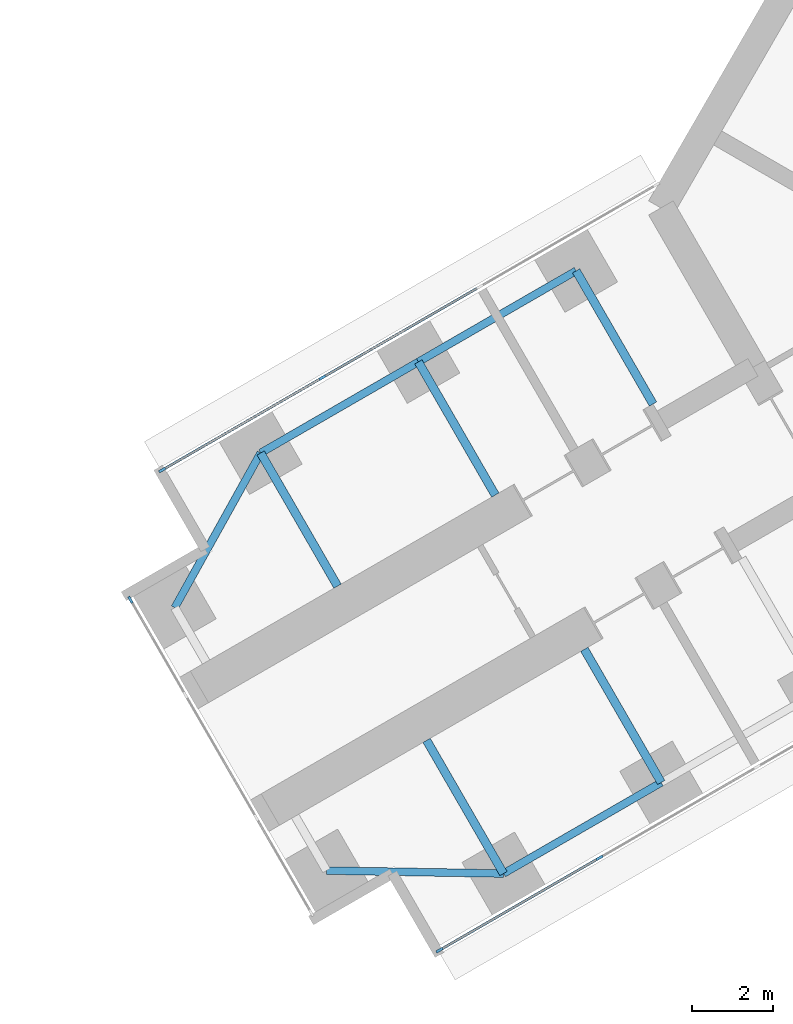
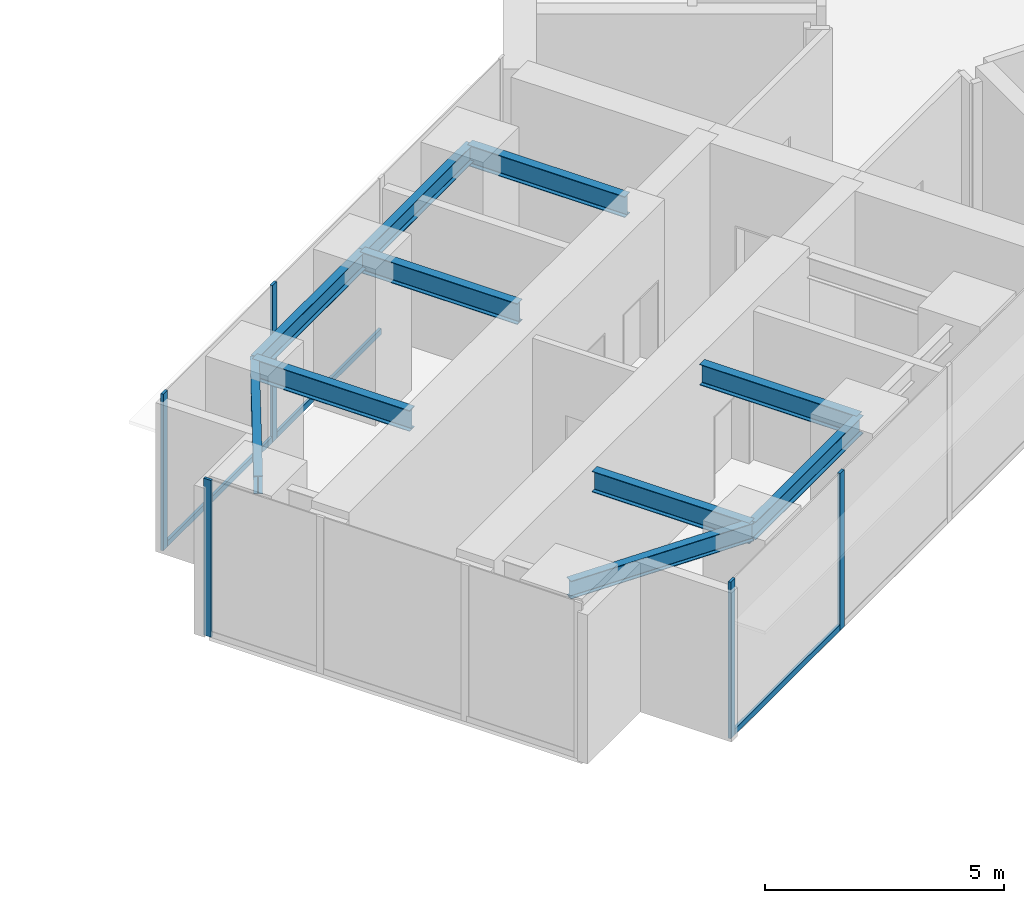
# One storey, part 4 of 23: 10 beams, 8 members, 3 elements without a shape of their own.
"""IFC4 building model written with IfcOpenShell, lengths in metres."""

from ifc_helpers import new_model, si_unit, direction, frame, origin, origin_2d, place, context, subcontext, project, spatial, rectangle, i_section, extrude, material, material_profile, profile_set, type_object, element, aggregate, save


model = new_model("IFC4")

# Units and contexts
model_context = context("Model", 3, precision=1e-05, world=origin(), true_north=direction((0.0, 1.0)))
body_context = subcontext(model_context, "Body", "Model", "MODEL_VIEW")
ifc_project = project(units=[si_unit("LENGTHUNIT", "METRE"), si_unit("AREAUNIT", "SQUARE_METRE"), si_unit("VOLUMEUNIT", "CUBIC_METRE"), si_unit("PLANEANGLEUNIT", "RADIAN"), si_unit("MASSUNIT", "GRAM", prefix="KILO")], contexts=[model_context])

# Site, building, storey
site_placement = place(None, origin())
site = spatial("IfcSite", under=ifc_project, at=site_placement, CompositionType="ELEMENT")
building_placement = place(site_placement, origin())
building = spatial("IfcBuilding", under=site, at=building_placement, Name="Upepo Twin Towers", CompositionType="ELEMENT")
storey_placement = place(building_placement, frame((0.0, 0.0, 28.5)))
storey = spatial("IfcBuildingStorey", under=building, at=storey_placement, Name="L06", CompositionType="ELEMENT", Elevation=28.5)

# Beams
ifc_material_1 = material(Name="Steel S355", Category="steel")
ifc_material_profile_1 = material_profile(ifc_material_1, i_section(OverallWidth=0.1904296875, OverallDepth=0.45703125, WebThickness=0.009033203125, FlangeThickness=0.014404296875, FilletRadius=0.01025390625, at=origin_2d()), Name="UB 457x191x74")
ifc_profile_set_1 = profile_set([ifc_material_profile_1], Name="Steel S355")
beam_type_1 = type_object("IfcBeamType", Name="Beam UB 457x191x74", PredefinedType="BEAM", material=ifc_profile_set_1)
beam_1_placement = place(storey_placement, frame((45.91162109375, -32.196044921875, 3.571533203125), z_axis=(-0.866031096941, -0.499990139034, 0.0), x_axis=(0.499990139034, -0.866031096941, 0.0)))
element("IfcBeam", 1, at=beam_1_placement, inside=storey, type_object=beam_type_1, Name="T2 edge beam BL 18.0-22.5", PredefinedType="BEAM", context=body_context, shape_type="SweptSolid", body=[
    extrude(i_section(OverallWidth=0.1904296875, OverallDepth=0.45703125, WebThickness=0.009033203125, FlangeThickness=0.014404296875, FilletRadius=0.01025390625, at=origin_2d()), origin(), (0.0, 0.0, 1.0), 4.5),
])
beam_2_placement = place(storey_placement, frame((42.014404296875, -34.446044921875, 3.571533203125), z_axis=(-0.999858804832, 0.016803880528, 0.0), x_axis=(-0.016803880528, -0.999858804832, 0.0)))
element("IfcBeam", 2, at=beam_2_placement, inside=storey, type_object=beam_type_1, Name="T2 nose edge beam BL", PredefinedType="BEAM", context=body_context, shape_type="SweptSolid", body=[
    extrude(i_section(OverallWidth=0.1904296875, OverallDepth=0.45703125, WebThickness=0.009033203125, FlangeThickness=0.014404296875, FilletRadius=0.01025390625, at=origin_2d()), origin(), (0.0, 0.0, 1.0), 4.373291015625),
])
beam_3_placement = place(storey_placement, frame((43.80859375, -19.553955078125, 3.571533203125), z_axis=(-0.866017533419, -0.500013631625, 0.0), x_axis=(0.500013631625, -0.866017533419, 0.0)))
element("IfcBeam", 3, at=beam_3_placement, inside=storey, type_object=beam_type_1, Name="T2 edge beam BR 13.5-18.0", PredefinedType="BEAM", context=body_context, shape_type="SweptSolid", body=[
    extrude(i_section(OverallWidth=0.1904296875, OverallDepth=0.45703125, WebThickness=0.009033203125, FlangeThickness=0.014404296875, FilletRadius=0.01025390625, at=origin_2d()), origin(), (0.0, 0.0, 1.0), 4.499755859375),
])
beam_4_placement = place(storey_placement, frame((39.91162109375, -21.803955078125, 3.571533203125), z_axis=(-0.866031096941, -0.499990139034, 0.0), x_axis=(0.499990139034, -0.866031096941, 0.0)))
element("IfcBeam", 4, at=beam_4_placement, inside=storey, type_object=beam_type_1, Name="T2 edge beam BR 18.0-22.5", PredefinedType="BEAM", context=body_context, shape_type="SweptSolid", body=[
    extrude(i_section(OverallWidth=0.1904296875, OverallDepth=0.45703125, WebThickness=0.009033203125, FlangeThickness=0.014404296875, FilletRadius=0.01025390625, at=origin_2d()), origin(), (0.0, 0.0, 1.0), 4.5),
])
beam_5_placement = place(storey_placement, frame((36.014404296875, -24.053955078125, 3.571533203125), z_axis=(-0.485363242752, -0.874312600038, 0.0), x_axis=(0.874312600038, -0.485363242752, 0.0)))
element("IfcBeam", 5, at=beam_5_placement, inside=storey, type_object=beam_type_1, Name="T2 nose edge beam BR", PredefinedType="BEAM", context=body_context, shape_type="SweptSolid", body=[
    extrude(i_section(OverallWidth=0.1904296875, OverallDepth=0.45703125, WebThickness=0.009033203125, FlangeThickness=0.014404296875, FilletRadius=0.01025390625, at=origin_2d()), origin(), (0.0, 0.0, 1.0), 4.373046875),
])
ifc_material_2 = material(Name="Steel S355", Category="steel")
ifc_material_profile_2 = material_profile(ifc_material_2, i_section(OverallWidth=0.209228515625, OverallDepth=0.533203125, WebThickness=0.010009765625, FlangeThickness=0.015625, FilletRadius=0.0126953125, at=origin_2d()), Name="UB 533x210x92")
ifc_profile_set_2 = profile_set([ifc_material_profile_2], Name="Steel S355")
beam_type_2 = type_object("IfcBeamType", Name="Beam UB 533x210x92", PredefinedType="BEAM", material=ifc_profile_set_2)
beam_6_placement = place(storey_placement, frame((45.91162109375, -32.196044921875, 3.533447265625), z_axis=(-0.500043160704, 0.866000483506, 0.0), x_axis=(-0.866000483506, -0.500043160704, 0.0)))
element("IfcBeam", 6, at=beam_6_placement, inside=storey, type_object=beam_type_2, Name="T2 girder BL at 18.0", PredefinedType="BEAM", context=body_context, shape_type="SweptSolid", body=[
    extrude(i_section(OverallWidth=0.209228515625, OverallDepth=0.533203125, WebThickness=0.010009765625, FlangeThickness=0.015625, FilletRadius=0.0126953125, at=origin_2d()), origin(), (0.0, 0.0, 1.0), 3.800048828125),
])
beam_7_placement = place(storey_placement, frame((42.014404296875, -34.446044921875, 3.533447265625), z_axis=(-0.499994975061, 0.866028304915, 0.0), x_axis=(-0.866028304915, -0.499994975061, 0.0)))
element("IfcBeam", 7, at=beam_7_placement, inside=storey, type_object=beam_type_2, Name="T2 girder BL at 22.5", PredefinedType="BEAM", context=body_context, shape_type="SweptSolid", body=[
    extrude(i_section(OverallWidth=0.209228515625, OverallDepth=0.533203125, WebThickness=0.010009765625, FlangeThickness=0.015625, FilletRadius=0.0126953125, at=origin_2d()), origin(), (0.0, 0.0, 1.0), 3.7998046875),
])
beam_8_placement = place(storey_placement, frame((43.80859375, -19.553955078125, 3.533447265625), z_axis=(0.500043160704, -0.866000483506, 0.0), x_axis=(0.866000483506, 0.500043160704, 0.0)))
element("IfcBeam", 8, at=beam_8_placement, inside=storey, type_object=beam_type_2, Name="T2 girder BR at 13.5", PredefinedType="BEAM", context=body_context, shape_type="SweptSolid", body=[
    extrude(i_section(OverallWidth=0.209228515625, OverallDepth=0.533203125, WebThickness=0.010009765625, FlangeThickness=0.015625, FilletRadius=0.0126953125, at=origin_2d()), origin(), (0.0, 0.0, 1.0), 3.800048828125),
])
for number, where, z_axis, x_axis, name in (
    (9, (39.91162109375, -21.803955078125, 3.533447265625), (0.499994975061, -0.866028304915, 0.0), (0.866028304915, 0.499994975061, 0.0), "T2 girder BR at 18.0"),
    (10, (36.014404296875, -24.053955078125, 3.533447265625), (0.499994975061, -0.866028304915, 0.0), (0.866028304915, 0.499994975061, 0.0), "T2 girder BR at 22.5"),
):
    element("IfcBeam", number, at=place(storey_placement, frame(where, z_axis=z_axis, x_axis=x_axis)), inside=storey, type_object=beam_type_2, Name=name, PredefinedType="BEAM", context=body_context, shape_type="SweptSolid", body=[
        extrude(i_section(OverallWidth=0.209228515625, OverallDepth=0.533203125, WebThickness=0.010009765625, FlangeThickness=0.015625, FilletRadius=0.0126953125, at=origin_2d()), origin(), (0.0, 0.0, 1.0), 3.7998046875),
    ])

# Curtain wall, members
ifc_material_3 = material(Name="Aluminium and fritted glass", Category="aluminium")
curtain_wall_type = type_object("IfcCurtainWallType", Name="Tower curtain wall TW1, fritted glass", PredefinedType="NOTDEFINED", material=ifc_material_3)
curtain_wall_1_placement = place(storey_placement, origin())
curtain_wall_1 = element("IfcCurtainWall", 11, at=curtain_wall_1_placement, inside=storey, type_object=curtain_wall_type, Name="T2 L06 wing B flank L curtain wall", PredefinedType="NOTDEFINED")
ifc_material_4 = material(Name="Aluminium mullion", Category="aluminium")
ifc_material_profile_3 = material_profile(ifc_material_4, rectangle(XDim=0.06494140625, YDim=0.179931640625, at=origin_2d()), Name="MULLION 65x180")
ifc_profile_set_3 = profile_set([ifc_material_profile_3], Name="Aluminium mullion")
member_type_1 = type_object("IfcMemberType", Name="Mullion 65x180 TW1", PredefinedType="MULLION", material=ifc_profile_set_3)
member_1_placement = place(storey_placement, frame((44.387939453125, -34.057373046875, 0.0), z_axis=(0.0, 0.0, 1.0), x_axis=(0.500000024426, -0.866025389682, 0.0)))
member_1 = element("IfcMember", 12, at=member_1_placement, type_object=member_type_1, Name="T2 L06 wing B flank L curtain wall mullion 3", PredefinedType="MULLION", context=body_context, shape_type="SweptSolid", body=[
    extrude(rectangle(XDim=0.06494140625, YDim=0.179931640625, at=origin_2d()), origin(), (0.0, 0.0, 1.0), 4.0),
])
member_2_placement = place(storey_placement, frame((40.432373046875, -36.341064453125, 0.0), z_axis=(0.0, 0.0, 1.0), x_axis=(0.500000024426, -0.866025389682, 0.0)))
member_2 = element("IfcMember", 13, at=member_2_placement, type_object=member_type_1, Name="T2 L06 wing B flank L curtain wall mullion 4", PredefinedType="MULLION", context=body_context, shape_type="SweptSolid", body=[
    extrude(rectangle(XDim=0.06494140625, YDim=0.179931640625, at=origin_2d()), origin(), (0.0, 0.0, 1.0), 4.0),
])

curtain_wall_2_placement = place(storey_placement, origin())
curtain_wall_2 = element("IfcCurtainWall", 14, at=curtain_wall_2_placement, inside=storey, type_object=curtain_wall_type, Name="T2 L06 wing B flank R curtain wall", PredefinedType="NOTDEFINED")
member_3_placement = place(storey_placement, frame((33.58251953125, -24.4765625, 0.0), z_axis=(0.0, 0.0, 1.0), x_axis=(-0.500000024426, 0.866025389682, 0.0)))
member_3 = element("IfcMember", 15, at=member_3_placement, type_object=member_type_1, Name="T2 L06 wing B flank R curtain wall mullion 1", PredefinedType="MULLION", context=body_context, shape_type="SweptSolid", body=[
    extrude(rectangle(XDim=0.06494140625, YDim=0.179931640625, at=origin_2d()), origin(), (0.0, 0.0, 1.0), 4.0),
])
member_4_placement = place(storey_placement, frame((37.5380859375, -22.192626953125, 0.0), z_axis=(0.0, 0.0, 1.0), x_axis=(-0.500000024426, 0.866025389682, 0.0)))
member_4 = element("IfcMember", 16, at=member_4_placement, type_object=member_type_1, Name="T2 L06 wing B flank R curtain wall mullion 2", PredefinedType="MULLION", context=body_context, shape_type="SweptSolid", body=[
    extrude(rectangle(XDim=0.06494140625, YDim=0.179931640625, at=origin_2d()), origin(), (0.0, 0.0, 1.0), 4.0),
])

# Curtain wall, member
curtain_wall_3_placement = place(storey_placement, origin())
curtain_wall_3 = element("IfcCurtainWall", 17, at=curtain_wall_3_placement, inside=storey, type_object=curtain_wall_type, Name="T2 L06 wing B nose curtain wall", PredefinedType="NOTDEFINED")
member_5_placement = place(storey_placement, frame((32.796875, -27.68115234375, 0.0), z_axis=(0.0, 0.0, 1.0), x_axis=(0.866025386174, 0.500000030502, 0.0)))
member_5 = element("IfcMember", 18, at=member_5_placement, type_object=member_type_1, Name="T2 L06 wing B nose curtain wall mullion 1", PredefinedType="MULLION", context=body_context, shape_type="SweptSolid", body=[
    extrude(rectangle(XDim=0.06494140625, YDim=0.179931640625, at=origin_2d()), origin(), (0.0, 0.0, 1.0), 4.0),
])
aggregate(curtain_wall_3, [member_5])

# Member
ifc_material_5 = material(Name="Aluminium transom", Category="aluminium")
ifc_material_profile_4 = material_profile(ifc_material_5, rectangle(XDim=0.06494140625, YDim=0.14990234375, at=origin_2d()), Name="TRANSOM 65x150")
ifc_profile_set_4 = profile_set([ifc_material_profile_4], Name="Aluminium transom")
member_type_2 = type_object("IfcMemberType", Name="Transom 65x150 TW1", PredefinedType="USERDEFINED", material=ifc_profile_set_4)
member_6_placement = place(storey_placement, frame((44.35986328125, -34.073486328125, 0.074951171875), z_axis=(-0.866035699072, -0.499982167615, 0.0), x_axis=(0.499982167615, -0.866035699072, 0.0)))
member_6 = element("IfcMember", 19, at=member_6_placement, type_object=member_type_2, Name="T2 L06 wing B flank L curtain wall transom 3", ObjectType="TRANSOM", PredefinedType="USERDEFINED", context=body_context, shape_type="SweptSolid", body=[
    extrude(rectangle(XDim=0.06494140625, YDim=0.14990234375, at=origin_2d()), origin(), (0.0, 0.0, 1.0), 4.502685546875),
])

aggregate(curtain_wall_1, [member_1, member_2, member_6])

member_7_placement = place(storey_placement, frame((33.610595703125, -24.460205078125, 0.074951171875), z_axis=(0.866022143554, 0.500005646842, 0.0), x_axis=(-0.500005646842, 0.866022143554, 0.0)))
member_7 = element("IfcMember", 20, at=member_7_placement, type_object=member_type_2, Name="T2 L06 wing B flank R curtain wall transom 1", ObjectType="TRANSOM", PredefinedType="USERDEFINED", context=body_context, shape_type="SweptSolid", body=[
    extrude(rectangle(XDim=0.06494140625, YDim=0.14990234375, at=origin_2d()), origin(), (0.0, 0.0, 1.0), 4.50244140625),
])

member_8_placement = place(storey_placement, frame((37.566162109375, -22.176513671875, 0.074951171875), z_axis=(0.866022410713, 0.500005184116, 0.0), x_axis=(-0.500005184116, 0.866022410713, 0.0)))
member_8 = element("IfcMember", 21, at=member_8_placement, type_object=member_type_2, Name="T2 L06 wing B flank R curtain wall transom 2", ObjectType="TRANSOM", PredefinedType="USERDEFINED", context=body_context, shape_type="SweptSolid", body=[
    extrude(rectangle(XDim=0.06494140625, YDim=0.14990234375, at=origin_2d()), origin(), (0.0, 0.0, 1.0), 4.43505859375),
])

aggregate(curtain_wall_2, [member_3, member_4, member_7, member_8])

save(model, "model.ifc")
